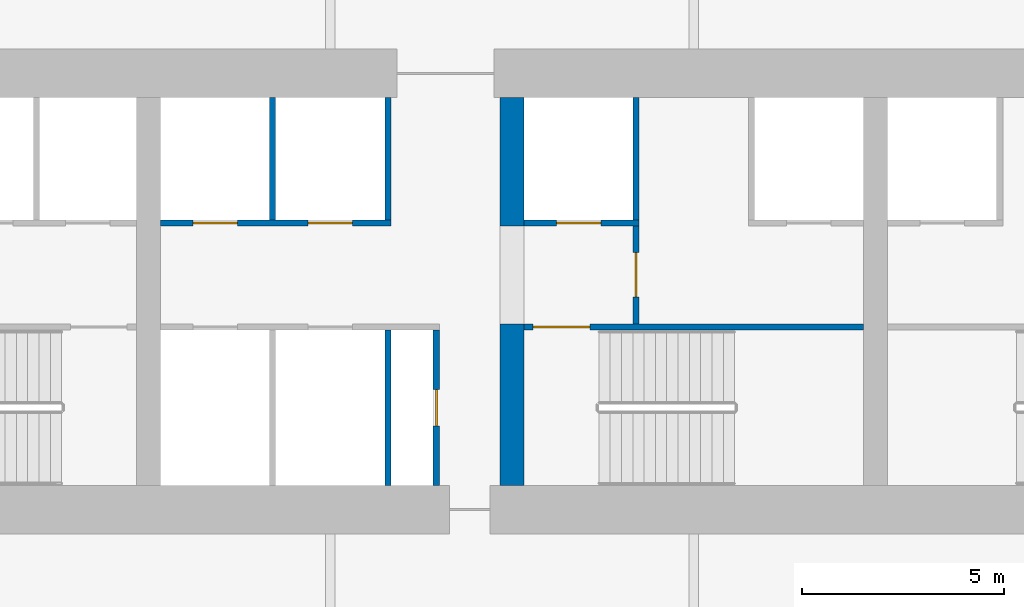
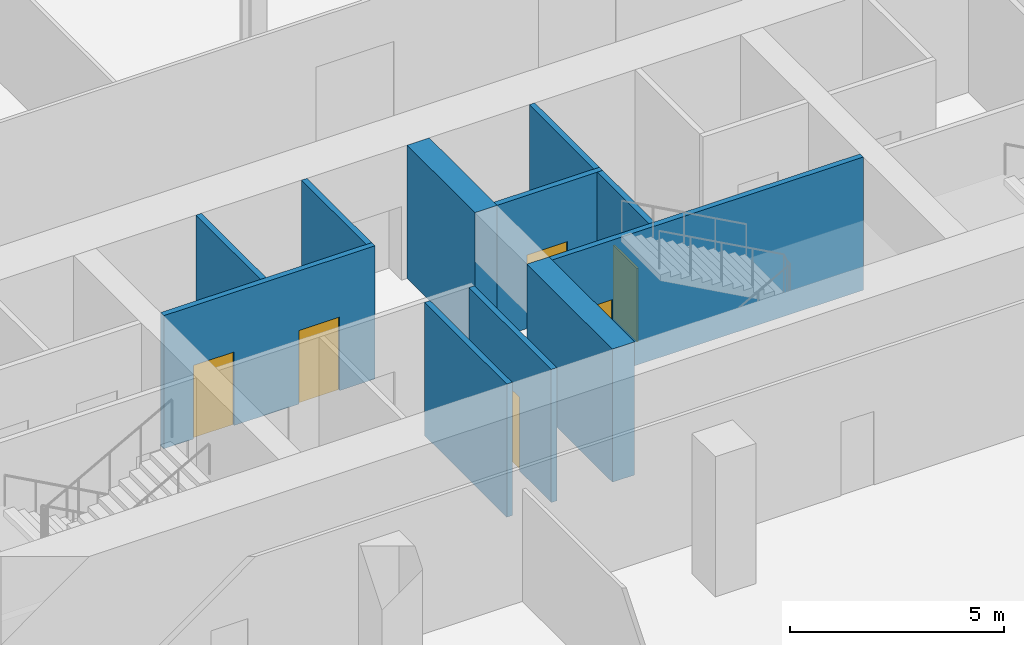
# One storey, part 4 of 11: 11 walls, 6 doors, 6 openings.
"""IFC4 building model written with IfcOpenShell, lengths in metres."""

from ifc_helpers import new_model, si_unit, direction, frame, frame_2d, origin, place, context, subcontext, project, spatial, rectangle, extrude, material, layer, layer_set, type_object, element, fill, save


model = new_model("IFC4")

# Units and contexts
model_context = context("Model", 3, precision=1e-05, world=origin(), true_north=direction((0.0, 1.0)))
body_context = subcontext(model_context, "Body", "Model", "MODEL_VIEW")
ifc_project = project(units=[si_unit("LENGTHUNIT", "METRE"), si_unit("AREAUNIT", "SQUARE_METRE"), si_unit("VOLUMEUNIT", "CUBIC_METRE"), si_unit("PLANEANGLEUNIT", "RADIAN"), si_unit("MASSUNIT", "GRAM", prefix="KILO")], contexts=[model_context])

# Site, building, storey
site_placement = place(None, origin())
site = spatial("IfcSite", under=ifc_project, at=site_placement, CompositionType="ELEMENT")
building_placement = place(site_placement, origin())
building = spatial("IfcBuilding", under=site, at=building_placement, Name="Zellij Exchange Tower", CompositionType="ELEMENT")
storey_placement = place(building_placement, frame((0.0, 0.0, 64.5)))
storey = spatial("IfcBuildingStorey", under=building, at=storey_placement, Name="L12", CompositionType="ELEMENT", Elevation=64.5)

# Walls
ifc_material_1 = material(Name="Concrete C70/85", Category="concrete")
ifc_layer_1 = layer(ifc_material_1, 0.60009765625)
ifc_layer_set_1 = layer_set([ifc_layer_1], Name="Concrete C70/85")
wall_type_1 = type_object("IfcWallType", Name="CORE-CW 600 C70/85", PredefinedType="SHEAR", material=ifc_layer_set_1)
wall_1_placement = place(storey_placement, frame((-9.0, -12.800048828125, 0.0), z_axis=(0.0, 0.0, 1.0), x_axis=(0.0, 1.0, 0.0)))
element("IfcWall", 1, at=wall_1_placement, inside=storey, type_object=wall_type_1, Name="Core cross wall pier x -9 a L12", PredefinedType="SHEAR", context=body_context, shape_type="SweptSolid", body=[
    extrude(rectangle(XDim=4.0, YDim=0.60009765625, at=frame_2d((2.0, 0.0))), origin(), (0.0, 0.0, 1.0), 3.800048828125),
])
wall_2_placement = place(storey_placement, frame((-9.0, -6.375, 0.0), z_axis=(0.0, 0.0, 1.0), x_axis=(0.0, 1.0, 0.0)))
element("IfcWall", 2, at=wall_2_placement, inside=storey, type_object=wall_type_1, Name="Core cross wall pier x -9 b L12", PredefinedType="SHEAR", context=body_context, shape_type="SweptSolid", body=[
    extrude(rectangle(XDim=3.175048828125, YDim=0.60009765625, at=frame_2d((1.58740234375, 0.0))), origin(), (0.0, 0.0, 1.0), 3.800048828125),
])

# Wall, opening, door
ifc_material_2 = material(Name="Gypsum shaft wall system")
ifc_layer_2 = layer(ifc_material_2, 0.14990234375)
ifc_layer_set_2 = layer_set([ifc_layer_2], Name="Gypsum shaft wall system")
wall_type_2 = type_object("IfcWallType", Name="CORE-PW 150 Firefighting lobby wall", PredefinedType="PARTITIONING", material=ifc_layer_set_2)
wall_3_placement = place(storey_placement, frame((-5.925048828125, -8.800048828125, 0.0), z_axis=(0.0, 0.0, 1.0), x_axis=(0.0, 1.0, 0.0)))
wall_3 = element("IfcWall", 3, at=wall_3_placement, inside=storey, type_object=wall_type_2, Name="Firefighting lobby wall L12", PredefinedType="PARTITIONING", context=body_context, shape_type="SweptSolid", body=[
    extrude(rectangle(XDim=2.425048828125, YDim=0.14990234375, at=frame_2d((1.21240234375, 0.0))), origin(), (0.0, 0.0, 1.0), 3.800048828125),
])
opening_1_placement = place(wall_3_placement, frame((0.662109375, 0.0, 0.0)))
opening_1 = element("IfcOpeningElement", 4, at=opening_1_placement, cuts=wall_3, Name="Opening CA-08.15", PredefinedType="OPENING", context=body_context, shape_type="SweptSolid", body=[
    extrude(rectangle(XDim=1.10009765625, YDim=2.10009765625, at=frame_2d((0.550048828125, 1.050048828125))), frame((0.0, 0.0869140625, 0.0), z_axis=(0.0, -1.0, 0.0), x_axis=(1.0, 0.0, 0.0)), (0.0, 0.0, 1.0), 0.173828125),
])
ifc_material_3 = material(Name="Hollow metal fire door")
door_type_1 = type_object("IfcDoorType", Name="CORE-D F Firefighting lobby door 1100x2100 1 HR", OperationType="NOTDEFINED", PredefinedType="DOOR", material=ifc_material_3)
door_1_placement = place(opening_1_placement, origin())
door_1 = element("IfcDoor", 5, at=door_1_placement, inside=storey, type_object=door_type_1, Name="Firefighting lobby door CA-08.15", OperationType="SINGLE_SWING_LEFT", OverallHeight=2.10009765625, OverallWidth=1.10009765625, PredefinedType="DOOR", context=body_context, shape_type="SweptSolid", body=[
    extrude(rectangle(XDim=1.10009765625, YDim=2.10009765625, at=frame_2d((0.550048828125, 1.050048828125))), frame((0.0, 0.02490234375, 0.0), z_axis=(0.0, -1.0, 0.0), x_axis=(1.0, 0.0, 0.0)), (0.0, 0.0, 1.0), 0.050048828125),
])
fill(opening_1, door_1)

ifc_material_4 = material(Name="Gypsum board partition")
ifc_layer_3 = layer(ifc_material_4, 0.14990234375)
ifc_layer_set_3 = layer_set([ifc_layer_3], Name="Gypsum board partition")
wall_type_3 = type_object("IfcWallType", Name="CORE-PW 150 Lift lobby wall", PredefinedType="PARTITIONING", material=ifc_layer_set_3)
wall_4_placement = place(storey_placement, frame((-10.875, -12.800048828125, 0.0), z_axis=(0.0, 0.0, 1.0), x_axis=(0.0, 1.0, 0.0)))
wall_4 = element("IfcWall", 6, at=wall_4_placement, inside=storey, type_object=wall_type_3, Name="Lift lobby wall L12", PredefinedType="PARTITIONING", context=body_context, shape_type="SweptSolid", body=[
    extrude(rectangle(XDim=3.85009765625, YDim=0.14990234375, at=frame_2d((1.925048828125, 0.0))), origin(), (0.0, 0.0, 1.0), 3.800048828125),
])
opening_2_placement = place(wall_4_placement, frame((1.47509765625, 0.0, 0.0)))
opening_2 = element("IfcOpeningElement", 7, at=opening_2_placement, cuts=wall_4, Name="Opening CA-08.10", PredefinedType="OPENING", context=body_context, shape_type="SweptSolid", body=[
    extrude(rectangle(XDim=0.89990234375, YDim=2.10009765625, at=frame_2d((0.449951171875, 1.050048828125))), frame((0.0, 0.0869140625, 0.0), z_axis=(0.0, -1.0, 0.0), x_axis=(1.0, 0.0, 0.0)), (0.0, 0.0, 1.0), 0.173828125),
])
door_type_2 = type_object("IfcDoorType", Name="CORE-D RD Riser door 900x2100 1.5 HR", OperationType="NOTDEFINED", PredefinedType="DOOR", material=ifc_material_3)
door_2_placement = place(opening_2_placement, origin())
door_2 = element("IfcDoor", 8, at=door_2_placement, inside=storey, type_object=door_type_2, Name="Riser door CA-08.10", OperationType="SINGLE_SWING_RIGHT", OverallHeight=2.10009765625, OverallWidth=0.89990234375, PredefinedType="DOOR", context=body_context, shape_type="SweptSolid", body=[
    extrude(rectangle(XDim=0.89990234375, YDim=2.10009765625, at=frame_2d((0.449951171875, 1.050048828125))), frame((0.0, 0.02490234375, 0.0), z_axis=(0.0, -1.0, 0.0), x_axis=(1.0, 0.0, 0.0)), (0.0, 0.0, 1.0), 0.050048828125),
])
fill(opening_2, door_2)

# Walls
ifc_layer_4 = layer(ifc_material_2, 0.14990234375)
ifc_layer_set_4 = layer_set([ifc_layer_4], Name="Gypsum shaft wall system")
wall_type_4 = type_object("IfcWallType", Name="CORE-PW 150 Lift shaft wall", PredefinedType="PARTITIONING", material=ifc_layer_set_4)
for number, where, z_axis, x_axis, name in (
    (9, (-12.074951171875, -6.22509765625, 0.0), (0.0, 0.0, 1.0), (0.0, 1.0, 0.0), "Lift shaft wall L12"),
    (10, (-14.925048828125, -6.22509765625, 0.0), (0.0, 0.0, 1.0), (0.0, 1.0, 0.0), "Lift shaft wall L12"),
    (11, (-5.925048828125, -6.22509765625, 0.0), (0.0, 0.0, 1.0), (0.0, 1.0, 0.0), "Lift shaft wall L12"),
):
    element("IfcWall", number, at=place(storey_placement, frame(where, z_axis=z_axis, x_axis=x_axis)), inside=storey, type_object=wall_type_4, Name=name, PredefinedType="PARTITIONING", context=body_context, shape_type="SweptSolid", body=[
        extrude(rectangle(XDim=3.025146484375, YDim=0.14990234375, at=frame_2d((1.5126953125, 0.0))), origin(), (0.0, 0.0, 1.0), 3.800048828125),
    ])
wall_5_placement = place(storey_placement, frame((-12.074951171875, -12.800048828125, 0.0), z_axis=(0.0, 0.0, 1.0), x_axis=(0.0, 1.0, 0.0)))
element("IfcWall", 12, at=wall_5_placement, inside=storey, type_object=wall_type_4, Name="Lift shaft wall L12", PredefinedType="PARTITIONING", context=body_context, shape_type="SweptSolid", body=[
    extrude(rectangle(XDim=3.85009765625, YDim=0.14990234375, at=frame_2d((1.925048828125, 0.0))), origin(), (0.0, 0.0, 1.0), 3.800048828125),
])

# Wall, openings, doors
wall_6_placement = place(storey_placement, frame((-17.699951171875, -6.300048828125, 0.0), z_axis=(0.0, 0.0, 1.0), x_axis=(1.0, 0.0, 0.0)))
wall_6 = element("IfcWall", 13, at=wall_6_placement, inside=storey, type_object=wall_type_4, Name="Lift shaft wall L12", PredefinedType="PARTITIONING", context=body_context, shape_type="SweptSolid", body=[
    extrude(rectangle(XDim=5.699951171875, YDim=0.14990234375, at=frame_2d((2.85009765625, 0.0))), origin(), (0.0, 0.0, 1.0), 3.800048828125),
])
opening_3_placement = place(wall_6_placement, frame((0.800048828125, 0.0, 0.0)))
opening_3 = element("IfcOpeningElement", 14, at=opening_3_placement, cuts=wall_6, Name="Opening CA-08.07", PredefinedType="OPENING", context=body_context, shape_type="SweptSolid", body=[
    extrude(rectangle(XDim=1.10009765625, YDim=2.10009765625, at=frame_2d((0.550048828125, 1.050048828125))), frame((0.0, 0.0869140625, 0.0), z_axis=(0.0, -1.0, 0.0), x_axis=(1.0, 0.0, 0.0)), (0.0, 0.0, 1.0), 0.173828125),
])
opening_4_placement = place(wall_6_placement, frame((3.64990234375, 0.0, 0.0)))
opening_4 = element("IfcOpeningElement", 15, at=opening_4_placement, cuts=wall_6, Name="Opening CA-08.09", PredefinedType="OPENING", context=body_context, shape_type="SweptSolid", body=[
    extrude(rectangle(XDim=1.10009765625, YDim=2.10009765625, at=frame_2d((0.550048828125, 1.050048828125))), frame((0.0, 0.0869140625, 0.0), z_axis=(0.0, -1.0, 0.0), x_axis=(1.0, 0.0, 0.0)), (0.0, 0.0, 1.0), 0.173828125),
])
door_type_3 = type_object("IfcDoorType", Name="CORE-D LD Lift landing door 1100x2100 1.5 HR", OperationType="NOTDEFINED", PredefinedType="DOOR", material=ifc_material_3)
door_3_placement = place(opening_3_placement, origin())
door_3 = element("IfcDoor", 16, at=door_3_placement, inside=storey, type_object=door_type_3, Name="Lift landing door CA-08.07", OperationType="SLIDING_TO_LEFT", OverallHeight=2.10009765625, OverallWidth=1.10009765625, PredefinedType="DOOR", context=body_context, shape_type="SweptSolid", body=[
    extrude(rectangle(XDim=1.10009765625, YDim=2.10009765625, at=frame_2d((0.550048828125, 1.050048828125))), frame((0.0, 0.02490234375, 0.0), z_axis=(0.0, -1.0, 0.0), x_axis=(1.0, 0.0, 0.0)), (0.0, 0.0, 1.0), 0.050048828125),
])
fill(opening_3, door_3)
door_4_placement = place(opening_4_placement, origin())
door_4 = element("IfcDoor", 17, at=door_4_placement, inside=storey, type_object=door_type_3, Name="Lift landing door CA-08.09", OperationType="SLIDING_TO_LEFT", OverallHeight=2.10009765625, OverallWidth=1.10009765625, PredefinedType="DOOR", context=body_context, shape_type="SweptSolid", body=[
    extrude(rectangle(XDim=1.10009765625, YDim=2.10009765625, at=frame_2d((0.550048828125, 1.050048828125))), frame((0.0, 0.02490234375, 0.0), z_axis=(0.0, -1.0, 0.0), x_axis=(1.0, 0.0, 0.0)), (0.0, 0.0, 1.0), 0.050048828125),
])
fill(opening_4, door_4)

# Wall, opening, door
wall_7_placement = place(storey_placement, frame((-8.699951171875, -6.300048828125, 0.0), z_axis=(0.0, 0.0, 1.0), x_axis=(1.0, 0.0, 0.0)))
wall_7 = element("IfcWall", 18, at=wall_7_placement, inside=storey, type_object=wall_type_4, Name="Lift shaft wall L12", PredefinedType="PARTITIONING", context=body_context, shape_type="SweptSolid", body=[
    extrude(rectangle(XDim=2.849853515625, YDim=0.14990234375, at=frame_2d((1.4248046875, 0.0))), origin(), (0.0, 0.0, 1.0), 3.800048828125),
])
opening_5_placement = place(wall_7_placement, frame((0.800048828125, 0.0, 0.0)))
opening_5 = element("IfcOpeningElement", 19, at=opening_5_placement, cuts=wall_7, Name="Opening CA-08.14", PredefinedType="OPENING", context=body_context, shape_type="SweptSolid", body=[
    extrude(rectangle(XDim=1.10009765625, YDim=2.10009765625, at=frame_2d((0.550048828125, 1.050048828125))), frame((0.0, 0.0869140625, 0.0), z_axis=(0.0, -1.0, 0.0), x_axis=(1.0, 0.0, 0.0)), (0.0, 0.0, 1.0), 0.173828125),
])
door_5_placement = place(opening_5_placement, origin())
door_5 = element("IfcDoor", 20, at=door_5_placement, inside=storey, type_object=door_type_3, Name="Lift landing door CA-08.14", OperationType="SLIDING_TO_RIGHT", OverallHeight=2.10009765625, OverallWidth=1.10009765625, PredefinedType="DOOR", context=body_context, shape_type="SweptSolid", body=[
    extrude(rectangle(XDim=1.10009765625, YDim=2.10009765625, at=frame_2d((0.550048828125, 1.050048828125))), frame((0.0, 0.02490234375, 0.0), z_axis=(0.0, -1.0, 0.0), x_axis=(1.0, 0.0, 0.0)), (0.0, 0.0, 1.0), 0.050048828125),
])
fill(opening_5, door_5)

ifc_layer_5 = layer(ifc_material_1, 0.14990234375)
ifc_layer_set_5 = layer_set([ifc_layer_5], Name="Concrete C70/85")
wall_type_5 = type_object("IfcWallType", Name="CORE-SWS 150 C70/85", PredefinedType="SHEAR", material=ifc_layer_set_5)
wall_8_placement = place(storey_placement, frame((-8.699951171875, -8.875, 0.0), z_axis=(0.0, 0.0, 1.0), x_axis=(1.0, 0.0, 0.0)))
wall_8 = element("IfcWall", 21, at=wall_8_placement, inside=storey, type_object=wall_type_5, Name="Stair enclosure wall L12", PredefinedType="SHEAR", context=body_context, shape_type="SweptSolid", body=[
    extrude(rectangle(XDim=8.39990234375, YDim=0.14990234375, at=frame_2d((4.199951171875, 0.0))), origin(), (0.0, 0.0, 1.0), 3.800048828125),
])
opening_6_placement = place(wall_8_placement, frame((0.22509765625, 0.0, 0.0)))
opening_6 = element("IfcOpeningElement", 22, at=opening_6_placement, cuts=wall_8, Name="Opening CA-08.13", PredefinedType="OPENING", context=body_context, shape_type="SweptSolid", body=[
    extrude(rectangle(XDim=1.39990234375, YDim=2.10009765625, at=frame_2d((0.699951171875, 1.050048828125))), frame((0.0, 0.0869140625, 0.0), z_axis=(0.0, -1.0, 0.0), x_axis=(1.0, 0.0, 0.0)), (0.0, 0.0, 1.0), 0.173828125),
])
door_type_4 = type_object("IfcDoorType", Name="CORE-D SD Stair door 1400x2100 1.5 HR", OperationType="NOTDEFINED", PredefinedType="DOOR", material=ifc_material_3)
door_6_placement = place(opening_6_placement, origin())
door_6 = element("IfcDoor", 23, at=door_6_placement, inside=storey, type_object=door_type_4, Name="Stair door CA-08.13", OperationType="DOUBLE_DOOR_SINGLE_SWING", OverallHeight=2.10009765625, OverallWidth=1.39990234375, PredefinedType="DOOR", context=body_context, shape_type="SweptSolid", body=[
    extrude(rectangle(XDim=1.39990234375, YDim=2.10009765625, at=frame_2d((0.699951171875, 1.050048828125))), frame((0.0, 0.02490234375, 0.0), z_axis=(0.0, -1.0, 0.0), x_axis=(1.0, 0.0, 0.0)), (0.0, 0.0, 1.0), 0.050048828125),
])
fill(opening_6, door_6)

save(model, "model.ifc")
